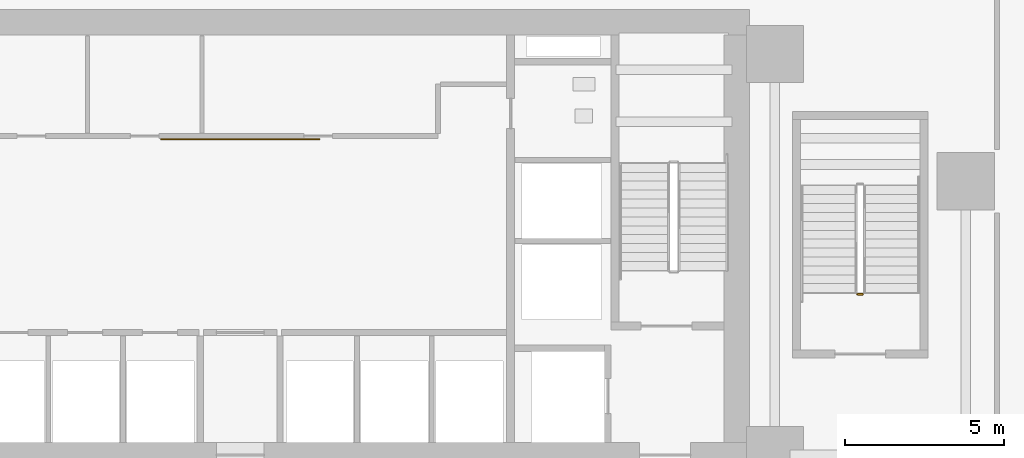
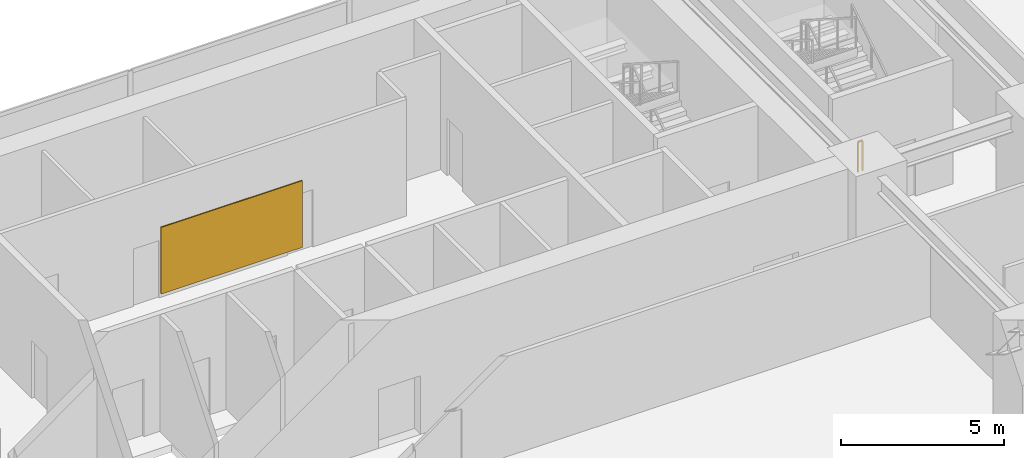
# One storey, part 14 of 17: 1 covering, 1 railing.
"""IFC4 building model written with IfcOpenShell, lengths in metres."""

import ifcopenshell
import ifcopenshell.guid

model = None  # the IFC model being written
_history = None  # IfcOwnerHistory: only IFC2X3 demands one
_inside = {}  # id of a spatial element -> (the spatial element, [elements in it])
_under = {}  # id of a project, library or spatial element -> (it, [spatial elements below it])
_declared = {}  # id of a project -> (the project, [libraries it declares])
_typed = {}  # id of a type object -> (the type object, [elements of that type])
_made_of = {}  # id of a material, layer set ... -> (it, [elements and type objects made of it])


def new_model(schema):
    """Start an empty IFC model of exactly this schema.

    Asked for "IFC4X3", IfcOpenShell would pick the latest addendum, in which some entities
    have other attributes; the version numbers below select the first issue.
    IFC2X3 requires an IfcOwnerHistory on every rooted entity: one is made here for all.
    """
    global model, _history
    if schema == "IFC4X3":
        model = ifcopenshell.file(schema_version=(4, 3, 0, 0))
    else:
        model = ifcopenshell.file(schema=schema)
    _inside.clear()
    _under.clear()
    _declared.clear()
    _typed.clear()
    _made_of.clear()
    _history = None
    if model.schema == "IFC2X3":
        org = make("IfcOrganization", Name="unknown")
        user = make(
            "IfcPersonAndOrganization",
            ThePerson=make("IfcPerson", FamilyName="unknown"),
            TheOrganization=org,
        )
        app = make(
            "IfcApplication",
            ApplicationDeveloper=org,
            Version="unknown",
            ApplicationFullName="unknown",
            ApplicationIdentifier="unknown",
        )
        _history = make(
            "IfcOwnerHistory",
            OwningUser=user,
            OwningApplication=app,
            ChangeAction="ADDED",
            CreationDate=0,
        )
    return model


def make(cls, **values):
    """One entity of the class cls with the attributes given. An attribute that is None is left unset."""
    return model.create_entity(
        cls, **{name: value for name, value in values.items() if value is not None}
    )


def rooted(cls, **values):
    """An entity with a GlobalId (a new one), such as an element, a storey or a relation."""
    return make(cls, GlobalId=ifcopenshell.guid.new(), OwnerHistory=_history, **values)


def si_unit(unit_type, name, prefix=None):
    """IfcSIUnit, for example si_unit("LENGTHUNIT", "METRE", prefix="MILLI")."""
    return make("IfcSIUnit", UnitType=unit_type, Prefix=prefix, Name=name)


def assignment(units):
    """IfcUnitAssignment: the units of a project."""
    return None if units is None else make("IfcUnitAssignment", Units=units)


def point(xyz):
    """IfcCartesianPoint."""
    return None if xyz is None else make("IfcCartesianPoint", Coordinates=xyz)


def direction(xyz):
    """IfcDirection."""
    return None if xyz is None else make("IfcDirection", DirectionRatios=xyz)


def frame(location, z_axis=None, x_axis=None):
    """IfcAxis2Placement3D, a coordinate frame: its origin and axes. An axis left out is left unset."""
    return make(
        "IfcAxis2Placement3D",
        Location=point(location),
        Axis=direction(z_axis),
        RefDirection=direction(x_axis),
    )


def frame_2d(location, x_axis=None):
    """IfcAxis2Placement2D, a coordinate frame in the plane: its origin and x axis."""
    return make(
        "IfcAxis2Placement2D", Location=point(location), RefDirection=direction(x_axis)
    )


def origin():
    """The frame at (0, 0, 0) with its axes left unset."""
    return frame((0.0, 0.0, 0.0))


def origin_2d():
    """The frame at (0, 0) in the plane with its x axis left unset."""
    return frame_2d((0.0, 0.0))


def place(relative_to, where):
    """IfcLocalPlacement: puts the frame where relative to a parent placement (None: the world)."""
    return make(
        "IfcLocalPlacement", PlacementRelTo=relative_to, RelativePlacement=where
    )


def context(
    kind, dimensions, precision=None, world=None, true_north=None, identifier=None
):
    """IfcGeometricRepresentationContext, for example the 3D "Model" context."""
    return make(
        "IfcGeometricRepresentationContext",
        ContextIdentifier=identifier,
        ContextType=kind,
        CoordinateSpaceDimension=dimensions,
        Precision=precision,
        WorldCoordinateSystem=world,
        TrueNorth=true_north,
    )


def subcontext(parent, identifier, kind, view, scale=None):
    """IfcGeometricRepresentationSubContext, for example "Body" below "Model"."""
    return make(
        "IfcGeometricRepresentationSubContext",
        ContextIdentifier=identifier,
        ContextType=kind,
        ParentContext=parent,
        TargetScale=scale,
        TargetView=view,
    )


def project(units=None, contexts=None):
    """IfcProject with its units and contexts."""
    return rooted(
        "IfcProject",
        Name="project",
        RepresentationContexts=contexts,
        UnitsInContext=assignment(units),
    )


def spatial(cls, under=None, at=None, **own):
    """A site, building, storey or space (cls), placed at a placement, below another one or the project."""
    s = rooted(cls, ObjectPlacement=at, **own)
    if under is not None:
        _under.setdefault(under.id(), (under, []))[1].append(s)
    return s


def profile(cls, at=None, kind="AREA", **sizes):
    """A parametric profile (cls). Its sizes go by their IFC names, for example OverallWidth=200.0."""
    return make(cls, ProfileType=kind, Position=at, **sizes)


def rectangle(**sizes):
    """IfcRectangleProfileDef."""
    return profile("IfcRectangleProfileDef", **sizes)


def extrude(swept, where, along, depth):
    """IfcExtrudedAreaSolid: the profile swept, set in the frame where, extruded along a direction by depth."""
    return make(
        "IfcExtrudedAreaSolid",
        SweptArea=swept,
        Position=where,
        ExtrudedDirection=direction(along),
        Depth=depth,
    )


def shape(context_of_items, identifier, shape_type, items):
    """IfcShapeRepresentation: the items that make up one representation, for example the "Body"."""
    return make(
        "IfcShapeRepresentation",
        ContextOfItems=context_of_items,
        RepresentationIdentifier=identifier,
        RepresentationType=shape_type,
        Items=items,
    )


def source(mapping_origin, context_of_items, identifier, shape_type, items):
    """IfcRepresentationMap: a shape defined once, which mapped items show again and again."""
    return make(
        "IfcRepresentationMap",
        MappingOrigin=mapping_origin,
        MappedRepresentation=shape(context_of_items, identifier, shape_type, items),
    )


def transform(
    local_origin,
    x_axis=None,
    y_axis=None,
    z_axis=None,
    scale=None,
    scale2=None,
    scale3=None,
    uniform=True,
):
    """IfcCartesianTransformationOperator3D, or its non-uniform kind. x_axis, y_axis, z_axis: its Axis1, 2, 3."""
    if uniform:
        return make(
            "IfcCartesianTransformationOperator3D",
            Axis1=direction(x_axis),
            Axis2=direction(y_axis),
            LocalOrigin=point(local_origin),
            Scale=scale,
            Axis3=direction(z_axis),
        )
    return make(
        "IfcCartesianTransformationOperator3DnonUniform",
        Axis1=direction(x_axis),
        Axis2=direction(y_axis),
        LocalOrigin=point(local_origin),
        Scale=scale,
        Axis3=direction(z_axis),
        Scale2=scale2,
        Scale3=scale3,
    )


def mapped(mapping_source, mapping_target):
    """IfcMappedItem: shows the shape of a source again, moved by a transform."""
    return make(
        "IfcMappedItem", MappingSource=mapping_source, MappingTarget=mapping_target
    )


def material(Name=None, Category=None):
    """IfcMaterial."""
    return make("IfcMaterial", Name=Name, Category=Category)


def layer(
    of_material, thickness, ventilated=None, Name=None, Category=None, Priority=None
):
    """IfcMaterialLayer: one layer of a wall or slab, of a material (None: an air gap)."""
    return make(
        "IfcMaterialLayer",
        Material=of_material,
        LayerThickness=thickness,
        IsVentilated=ventilated,
        Name=Name,
        Category=Category,
        Priority=Priority,
    )


def layer_set(layers, Name=None):
    """IfcMaterialLayerSet."""
    return make("IfcMaterialLayerSet", MaterialLayers=layers, LayerSetName=Name)


def made_of(thing, what):
    """Note that an element or type object is made of a material, layer set ...; save() writes the relation."""
    if what is not None:
        _made_of.setdefault(what.id(), (what, []))[1].append(thing)
    return thing


def type_object(cls, material=None, **own):
    """A type object (cls), such as IfcWallType, which elements share."""
    return made_of(rooted(cls, **own), material)


def element(
    cls,
    number,
    at=None,
    inside=None,
    cuts=None,
    type_object=None,
    material=None,
    context=None,
    identifier="Body",
    shape_type=None,
    held_by="IfcProductDefinitionShape",
    body=None,
    shapes=None,
    **own,
):
    """One element of the class cls, such as IfcWall. Its Tag is "e" and its number.

    at: its placement. inside: the storey or other place that contains it. cuts: it is an
    opening in that element (IfcRelVoidsElement). A single representation is given by context,
    identifier, shape_type and body (its items); several are given by shapes. held_by: the class
    of the entity that holds the representations. save() writes the other relations.
    """
    e = rooted(cls, Tag="e%d" % number, ObjectPlacement=at, **own)
    if body is not None:
        shapes = [shape(context, identifier, shape_type, body)]
    if shapes is not None:
        e.Representation = make(held_by, Representations=shapes)
    if inside is not None:
        _inside.setdefault(inside.id(), (inside, []))[1].append(e)
    if cuts is not None:
        rooted(
            "IfcRelVoidsElement", RelatingBuildingElement=cuts, RelatedOpeningElement=e
        )
    if type_object is not None:
        _typed.setdefault(type_object.id(), (type_object, []))[1].append(e)
    return made_of(e, material)


def aggregate(whole, parts):
    """IfcRelAggregates: a whole, such as a stair, and the parts it consists of."""
    return rooted("IfcRelAggregates", RelatingObject=whole, RelatedObjects=parts)


def save(model, path):
    """Write the relations noted so far, then the file.

    IfcRelAggregates (storeys below a building ...), IfcRelContainedInSpatialStructure (elements
    in a storey), IfcRelDefinesByType, IfcRelAssociatesMaterial and IfcRelDeclares: one each for
    every whole, place, type object, material and project.
    """
    for whole, parts in _under.values():
        aggregate(whole, parts)
    for where, things in _inside.values():
        rooted(
            "IfcRelContainedInSpatialStructure",
            RelatedElements=things,
            RelatingStructure=where,
        )
    for kind, things in _typed.values():
        rooted("IfcRelDefinesByType", RelatedObjects=things, RelatingType=kind)
    for what, things in _made_of.values():
        rooted("IfcRelAssociatesMaterial", RelatedObjects=things, RelatingMaterial=what)
    for by, libraries in _declared.values():
        rooted("IfcRelDeclares", RelatingContext=by, RelatedDefinitions=libraries)
    model.write(path)


model = new_model("IFC4")

# Units and contexts
model_context = context("Model", 3, precision=1e-05, world=origin(), true_north=direction((0.0, 1.0)))
body_context = subcontext(model_context, "Body", "Model", "MODEL_VIEW")
ifc_project = project(units=[si_unit("LENGTHUNIT", "METRE"), si_unit("AREAUNIT", "SQUARE_METRE"), si_unit("VOLUMEUNIT", "CUBIC_METRE"), si_unit("PLANEANGLEUNIT", "RADIAN"), si_unit("MASSUNIT", "GRAM", prefix="KILO")], contexts=[model_context])

# Site, building, storey
site_placement = place(None, origin())
site = spatial("IfcSite", under=ifc_project, at=site_placement, CompositionType="ELEMENT")
building_placement = place(site_placement, origin())
building = spatial("IfcBuilding", under=site, at=building_placement, Name="Sumidabori Civic Tower", CompositionType="ELEMENT")
storey_placement = place(building_placement, frame((0.0, 0.0, 5.0)))
storey = spatial("IfcBuildingStorey", under=building, at=storey_placement, Name="L01", CompositionType="ELEMENT", Elevation=5.0)

# Railing
ifc_material_1 = material(Name="Steel SN490", Category="steel")
railing_type = type_object("IfcRailingType", Name="RL-STAIR-GUARD", PredefinedType="GUARDRAIL", material=ifc_material_1)
railing_placement = place(storey_placement, frame((19.56005859375, 15.25, 0.0)))
element("IfcRailing", 1, at=railing_placement, inside=storey, type_object=railing_type, Name="L01 ST-4 stair guard 4", PredefinedType="GUARDRAIL", context=body_context, shape_type="SweptSolid", body=[
    extrude(rectangle(XDim=0.048095703125, YDim=0.048095703125, at=origin_2d()), frame((0.0, 0.0, 1.1259765625), z_axis=(-1.0, 0.0, 0.0), x_axis=(0.0, -1.0, 0.0)), (0.0, 0.0, 1.0), 0.16015625),
    extrude(rectangle(XDim=0.0419921875, YDim=0.0419921875, at=origin_2d()), origin(), (0.0, 0.0, 1.0), 1.101806640625),
    extrude(rectangle(XDim=0.0419921875, YDim=0.0419921875, at=origin_2d()), frame((-0.16015625, 0.0, 0.0)), (0.0, 0.0, 1.0), 1.101806640625),
])

# Covering
ifc_material_2 = material(Name="Anodised Bronze Aluminium Core Cladding", Category="aluminium")
ifc_layer = layer(ifc_material_2, 0.0400390625, Name="Anodised Bronze Aluminium Core Cladding")
ifc_layer_set = layer_set([ifc_layer], Name="Anodised Bronze Aluminium Core Cladding")
covering_type = type_object("IfcCoveringType", Name="CV-CLAD-BRZ", PredefinedType="CLADDING", material=ifc_layer_set)
shared_shape = source(origin(), body_context, "Body", "SweptSolid", [
    extrude(rectangle(XDim=5.0, YDim=0.0400390625, at=origin_2d()), origin(), (0.0, 0.0, 1.0), 2.5),
])
covering_placement = place(storey_placement, frame((0.0, 20.1201171875, 0.14990234375), z_axis=(0.0, 0.0, 1.0), x_axis=(1.0, 0.0, 0.0)))
element("IfcCovering", 2, at=covering_placement, inside=storey, type_object=covering_type, Name="Bronze Core Lobby Feature Cladding L01", PredefinedType="CLADDING", context=body_context, shape_type="MappedRepresentation", body=[
    mapped(shared_shape, transform((0.0, 0.0, 0.0), x_axis=(1.0, 0.0, 0.0), y_axis=(0.0, 1.0, 0.0), z_axis=(0.0, 0.0, 1.0), scale=1.0)),
])

save(model, "model.ifc")
